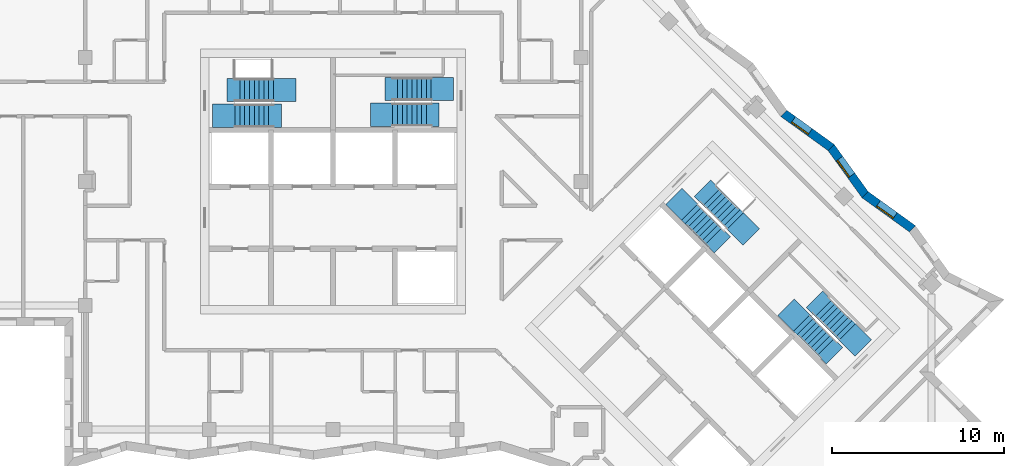
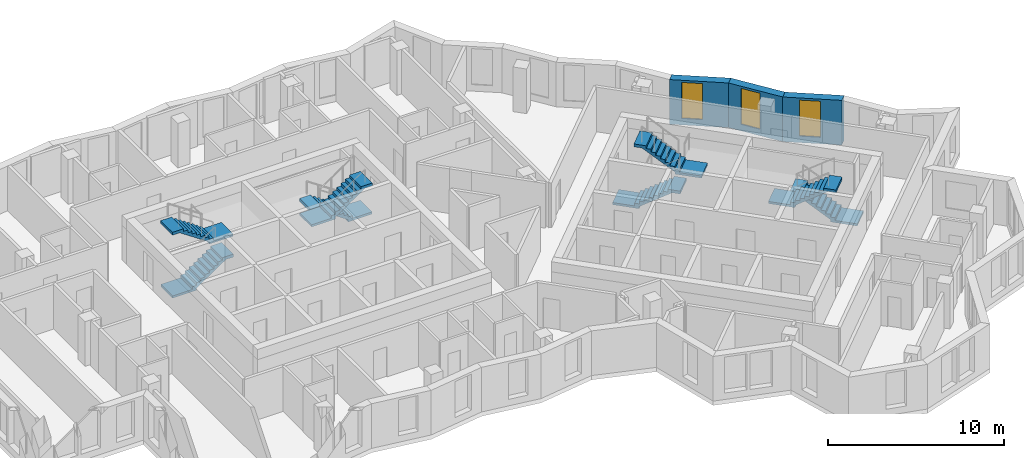
# One storey, part 10 of 13: 8 stair flights, 3 walls, 3 windows, 3 openings, 4 elements without a shape of their own.
"""IFC4 building model written with IfcOpenShell, lengths in metres."""

import ifcopenshell
import ifcopenshell.guid

model = None  # the IFC model being written
_history = None  # IfcOwnerHistory: only IFC2X3 demands one
_inside = {}  # id of a spatial element -> (the spatial element, [elements in it])
_under = {}  # id of a project, library or spatial element -> (it, [spatial elements below it])
_declared = {}  # id of a project -> (the project, [libraries it declares])
_typed = {}  # id of a type object -> (the type object, [elements of that type])
_made_of = {}  # id of a material, layer set ... -> (it, [elements and type objects made of it])


def new_model(schema):
    """Start an empty IFC model of exactly this schema.

    Asked for "IFC4X3", IfcOpenShell would pick the latest addendum, in which some entities
    have other attributes; the version numbers below select the first issue.
    IFC2X3 requires an IfcOwnerHistory on every rooted entity: one is made here for all.
    """
    global model, _history
    if schema == "IFC4X3":
        model = ifcopenshell.file(schema_version=(4, 3, 0, 0))
    else:
        model = ifcopenshell.file(schema=schema)
    _inside.clear()
    _under.clear()
    _declared.clear()
    _typed.clear()
    _made_of.clear()
    _history = None
    if model.schema == "IFC2X3":
        org = make("IfcOrganization", Name="unknown")
        user = make(
            "IfcPersonAndOrganization",
            ThePerson=make("IfcPerson", FamilyName="unknown"),
            TheOrganization=org,
        )
        app = make(
            "IfcApplication",
            ApplicationDeveloper=org,
            Version="unknown",
            ApplicationFullName="unknown",
            ApplicationIdentifier="unknown",
        )
        _history = make(
            "IfcOwnerHistory",
            OwningUser=user,
            OwningApplication=app,
            ChangeAction="ADDED",
            CreationDate=0,
        )
    return model


def make(cls, **values):
    """One entity of the class cls with the attributes given. An attribute that is None is left unset."""
    return model.create_entity(
        cls, **{name: value for name, value in values.items() if value is not None}
    )


def rooted(cls, **values):
    """An entity with a GlobalId (a new one), such as an element, a storey or a relation."""
    return make(cls, GlobalId=ifcopenshell.guid.new(), OwnerHistory=_history, **values)


def si_unit(unit_type, name, prefix=None):
    """IfcSIUnit, for example si_unit("LENGTHUNIT", "METRE", prefix="MILLI")."""
    return make("IfcSIUnit", UnitType=unit_type, Prefix=prefix, Name=name)


def assignment(units):
    """IfcUnitAssignment: the units of a project."""
    return None if units is None else make("IfcUnitAssignment", Units=units)


def point(xyz):
    """IfcCartesianPoint."""
    return None if xyz is None else make("IfcCartesianPoint", Coordinates=xyz)


def direction(xyz):
    """IfcDirection."""
    return None if xyz is None else make("IfcDirection", DirectionRatios=xyz)


def frame(location, z_axis=None, x_axis=None):
    """IfcAxis2Placement3D, a coordinate frame: its origin and axes. An axis left out is left unset."""
    return make(
        "IfcAxis2Placement3D",
        Location=point(location),
        Axis=direction(z_axis),
        RefDirection=direction(x_axis),
    )


def frame_2d(location, x_axis=None):
    """IfcAxis2Placement2D, a coordinate frame in the plane: its origin and x axis."""
    return make(
        "IfcAxis2Placement2D", Location=point(location), RefDirection=direction(x_axis)
    )


def origin():
    """The frame at (0, 0, 0) with its axes left unset."""
    return frame((0.0, 0.0, 0.0))


def place(relative_to, where):
    """IfcLocalPlacement: puts the frame where relative to a parent placement (None: the world)."""
    return make(
        "IfcLocalPlacement", PlacementRelTo=relative_to, RelativePlacement=where
    )


def context(
    kind, dimensions, precision=None, world=None, true_north=None, identifier=None
):
    """IfcGeometricRepresentationContext, for example the 3D "Model" context."""
    return make(
        "IfcGeometricRepresentationContext",
        ContextIdentifier=identifier,
        ContextType=kind,
        CoordinateSpaceDimension=dimensions,
        Precision=precision,
        WorldCoordinateSystem=world,
        TrueNorth=true_north,
    )


def subcontext(parent, identifier, kind, view, scale=None):
    """IfcGeometricRepresentationSubContext, for example "Body" below "Model"."""
    return make(
        "IfcGeometricRepresentationSubContext",
        ContextIdentifier=identifier,
        ContextType=kind,
        ParentContext=parent,
        TargetScale=scale,
        TargetView=view,
    )


def project(units=None, contexts=None):
    """IfcProject with its units and contexts."""
    return rooted(
        "IfcProject",
        Name="project",
        RepresentationContexts=contexts,
        UnitsInContext=assignment(units),
    )


def spatial(cls, under=None, at=None, **own):
    """A site, building, storey or space (cls), placed at a placement, below another one or the project."""
    s = rooted(cls, ObjectPlacement=at, **own)
    if under is not None:
        _under.setdefault(under.id(), (under, []))[1].append(s)
    return s


def polyline(points):
    """IfcPolyline through the points."""
    return make("IfcPolyline", Points=[point(p) for p in points])


def profile(cls, at=None, kind="AREA", **sizes):
    """A parametric profile (cls). Its sizes go by their IFC names, for example OverallWidth=200.0."""
    return make(cls, ProfileType=kind, Position=at, **sizes)


def rectangle(**sizes):
    """IfcRectangleProfileDef."""
    return profile("IfcRectangleProfileDef", **sizes)


def outline(outer, holes=None, kind="AREA"):
    """IfcArbitraryClosedProfileDef: a profile drawn as a closed curve; with holes, ...WithVoids."""
    if holes is None:
        return make("IfcArbitraryClosedProfileDef", ProfileType=kind, OuterCurve=outer)
    return make(
        "IfcArbitraryProfileDefWithVoids",
        ProfileType=kind,
        OuterCurve=outer,
        InnerCurves=holes,
    )


def extrude(swept, where, along, depth):
    """IfcExtrudedAreaSolid: the profile swept, set in the frame where, extruded along a direction by depth."""
    return make(
        "IfcExtrudedAreaSolid",
        SweptArea=swept,
        Position=where,
        ExtrudedDirection=direction(along),
        Depth=depth,
    )


def shape(context_of_items, identifier, shape_type, items):
    """IfcShapeRepresentation: the items that make up one representation, for example the "Body"."""
    return make(
        "IfcShapeRepresentation",
        ContextOfItems=context_of_items,
        RepresentationIdentifier=identifier,
        RepresentationType=shape_type,
        Items=items,
    )


def material(Name=None, Category=None):
    """IfcMaterial."""
    return make("IfcMaterial", Name=Name, Category=Category)


def layer(
    of_material, thickness, ventilated=None, Name=None, Category=None, Priority=None
):
    """IfcMaterialLayer: one layer of a wall or slab, of a material (None: an air gap)."""
    return make(
        "IfcMaterialLayer",
        Material=of_material,
        LayerThickness=thickness,
        IsVentilated=ventilated,
        Name=Name,
        Category=Category,
        Priority=Priority,
    )


def layer_set(layers, Name=None):
    """IfcMaterialLayerSet."""
    return make("IfcMaterialLayerSet", MaterialLayers=layers, LayerSetName=Name)


def made_of(thing, what):
    """Note that an element or type object is made of a material, layer set ...; save() writes the relation."""
    if what is not None:
        _made_of.setdefault(what.id(), (what, []))[1].append(thing)
    return thing


def type_object(cls, material=None, **own):
    """A type object (cls), such as IfcWallType, which elements share."""
    return made_of(rooted(cls, **own), material)


def element(
    cls,
    number,
    at=None,
    inside=None,
    cuts=None,
    type_object=None,
    material=None,
    context=None,
    identifier="Body",
    shape_type=None,
    held_by="IfcProductDefinitionShape",
    body=None,
    shapes=None,
    **own,
):
    """One element of the class cls, such as IfcWall. Its Tag is "e" and its number.

    at: its placement. inside: the storey or other place that contains it. cuts: it is an
    opening in that element (IfcRelVoidsElement). A single representation is given by context,
    identifier, shape_type and body (its items); several are given by shapes. held_by: the class
    of the entity that holds the representations. save() writes the other relations.
    """
    e = rooted(cls, Tag="e%d" % number, ObjectPlacement=at, **own)
    if body is not None:
        shapes = [shape(context, identifier, shape_type, body)]
    if shapes is not None:
        e.Representation = make(held_by, Representations=shapes)
    if inside is not None:
        _inside.setdefault(inside.id(), (inside, []))[1].append(e)
    if cuts is not None:
        rooted(
            "IfcRelVoidsElement", RelatingBuildingElement=cuts, RelatedOpeningElement=e
        )
    if type_object is not None:
        _typed.setdefault(type_object.id(), (type_object, []))[1].append(e)
    return made_of(e, material)


def fill(opening, filler):
    """IfcRelFillsElement: the door or window that sits in an opening."""
    return rooted(
        "IfcRelFillsElement",
        RelatingOpeningElement=opening,
        RelatedBuildingElement=filler,
    )


def aggregate(whole, parts):
    """IfcRelAggregates: a whole, such as a stair, and the parts it consists of."""
    return rooted("IfcRelAggregates", RelatingObject=whole, RelatedObjects=parts)


def save(model, path):
    """Write the relations noted so far, then the file.

    IfcRelAggregates (storeys below a building ...), IfcRelContainedInSpatialStructure (elements
    in a storey), IfcRelDefinesByType, IfcRelAssociatesMaterial and IfcRelDeclares: one each for
    every whole, place, type object, material and project.
    """
    for whole, parts in _under.values():
        aggregate(whole, parts)
    for where, things in _inside.values():
        rooted(
            "IfcRelContainedInSpatialStructure",
            RelatedElements=things,
            RelatingStructure=where,
        )
    for kind, things in _typed.values():
        rooted("IfcRelDefinesByType", RelatedObjects=things, RelatingType=kind)
    for what, things in _made_of.values():
        rooted("IfcRelAssociatesMaterial", RelatedObjects=things, RelatingMaterial=what)
    for by, libraries in _declared.values():
        rooted("IfcRelDeclares", RelatingContext=by, RelatedDefinitions=libraries)
    model.write(path)


model = new_model("IFC4")

# Units and contexts
model_context = context("Model", 3, precision=1e-05, world=origin(), true_north=direction((0.0, 1.0)))
body_context = subcontext(model_context, "Body", "Model", "MODEL_VIEW")
ifc_project = project(units=[si_unit("LENGTHUNIT", "METRE"), si_unit("AREAUNIT", "SQUARE_METRE"), si_unit("VOLUMEUNIT", "CUBIC_METRE"), si_unit("PLANEANGLEUNIT", "RADIAN"), si_unit("MASSUNIT", "GRAM", prefix="KILO")], contexts=[model_context])

# Site, building, storey
site_placement = place(None, origin())
site = spatial("IfcSite", under=ifc_project, at=site_placement, CompositionType="ELEMENT")
building_placement = place(site_placement, origin())
building = spatial("IfcBuilding", under=site, at=building_placement, Name="Windrow Commons", CompositionType="ELEMENT")
storey_placement = place(building_placement, frame((0.0, 0.0, 216.8)))
storey = spatial("IfcBuildingStorey", under=building, at=storey_placement, Name="L59", CompositionType="ELEMENT", Elevation=216.8)

# Wall, opening, window
ifc_material_1 = material(Name="Brick masonry, red clay brick", Category="masonry")
ifc_layer = layer(ifc_material_1, 0.5)
ifc_layer_set = layer_set([ifc_layer], Name="Brick facade wall 500")
wall_type = type_object("IfcWallType", Name="Brick facade wall 500", PredefinedType="SOLIDWALL", material=ifc_layer_set)
wall_1_placement = place(storey_placement, frame((98.4437, 54.8617, 0.0), z_axis=(0.0, 0.0, 1.0), x_axis=(-0.8113121077, 0.5846132601, 0.0)))
wall_1 = element("IfcWall", 1, at=wall_1_placement, inside=storey, type_object=wall_type, Name="Brick facade wall L59 9", PredefinedType="SOLIDWALL", context=body_context, shape_type="SweptSolid", body=[
    extrude(outline(polyline([(-0.0406, -0.25), (3.3401, -0.25), (3.4213, 0.25), (0.0406, 0.25), (-0.0406, -0.25)])), origin(), (0.0, 0.0, 1.0), 3.1),
])
opening_1_placement = place(wall_1_placement, frame((1.2568, 0.0, 0.45)))
opening_1 = element("IfcOpeningElement", 2, at=opening_1_placement, cuts=wall_1, Name="Opening W7E", PredefinedType="OPENING", context=body_context, shape_type="SweptSolid", body=[
    extrude(rectangle(XDim=1.2, YDim=2.5, at=frame_2d((0.6, 1.25))), frame((0.0, 0.26, 0.0), z_axis=(0.0, -1.0, 0.0), x_axis=(1.0, 0.0, 0.0)), (0.0, 0.0, 1.0), 0.52),
])
ifc_material_2 = material(Name="Clear float glass in anodised aluminium frame", Category="aluminium")
window_type = type_object("IfcWindowType", Name="Window W7 notch 1200x2500", PartitioningType="SINGLE_PANEL", PredefinedType="WINDOW", material=ifc_material_2)
window_1_placement = place(opening_1_placement, origin())
window_1 = element("IfcWindow", 3, at=window_1_placement, inside=storey, type_object=window_type, Name="Window L59 9.1", OverallHeight=2.5, OverallWidth=1.2, PartitioningType="SINGLE_PANEL", PredefinedType="WINDOW", context=body_context, shape_type="SweptSolid", body=[
    extrude(rectangle(XDim=1.2, YDim=2.5, at=frame_2d((0.6, 1.25))), frame((0.0, 0.18, 0.0), z_axis=(0.0, -1.0, 0.0), x_axis=(1.0, 0.0, 0.0)), (0.0, 0.0, 1.0), 0.06),
])
fill(opening_1, window_1)

wall_2_placement = place(storey_placement, frame((95.7009, 56.8381, 0.0), z_axis=(0.0, 0.0, 1.0), x_axis=(-0.5846132601, 0.8113121077, 0.0)))
wall_2 = element("IfcWall", 4, at=wall_2_placement, inside=storey, type_object=wall_type, Name="Brick facade wall L59 10", PredefinedType="SOLIDWALL", context=body_context, shape_type="SweptSolid", body=[
    extrude(outline(polyline([(0.0406, -0.25), (3.4213, -0.25), (3.3401, 0.25), (-0.0406, 0.25), (0.0406, -0.25)])), origin(), (0.0, 0.0, 1.0), 3.1),
])
opening_2_placement = place(wall_2_placement, frame((1.3697, 0.0, 0.45)))
opening_2 = element("IfcOpeningElement", 5, at=opening_2_placement, cuts=wall_2, Name="Opening W7E", PredefinedType="OPENING", context=body_context, shape_type="SweptSolid", body=[
    extrude(rectangle(XDim=1.2, YDim=2.5, at=frame_2d((0.6, 1.25))), frame((0.0, 0.26, 0.0), z_axis=(0.0, -1.0, 0.0), x_axis=(1.0, 0.0, 0.0)), (0.0, 0.0, 1.0), 0.52),
])
window_2_placement = place(opening_2_placement, origin())
window_2 = element("IfcWindow", 6, at=window_2_placement, inside=storey, type_object=window_type, Name="Window L59 10.1", OverallHeight=2.5, OverallWidth=1.2, PartitioningType="SINGLE_PANEL", PredefinedType="WINDOW", context=body_context, shape_type="SweptSolid", body=[
    extrude(rectangle(XDim=1.2, YDim=2.5, at=frame_2d((0.6, 1.25))), frame((0.0, 0.18, 0.0), z_axis=(0.0, -1.0, 0.0), x_axis=(1.0, 0.0, 0.0)), (0.0, 0.0, 1.0), 0.06),
])
fill(opening_2, window_2)

wall_3_placement = place(storey_placement, frame((93.7245, 59.5809, 0.0), z_axis=(0.0, 0.0, 1.0), x_axis=(-0.8113222169, 0.5845992306, 0.0)))
wall_3 = element("IfcWall", 7, at=wall_3_placement, inside=storey, type_object=wall_type, Name="Brick facade wall L59 11", PredefinedType="SOLIDWALL", context=body_context, shape_type="SweptSolid", body=[
    extrude(outline(polyline([(-0.0406, -0.25), (3.3401, -0.25), (3.4213, 0.25), (0.0406, 0.25), (-0.0406, -0.25)])), origin(), (0.0, 0.0, 1.0), 3.1),
])
opening_3_placement = place(wall_3_placement, frame((1.5232, 0.0, 0.45)))
opening_3 = element("IfcOpeningElement", 8, at=opening_3_placement, cuts=wall_3, Name="Opening W7E", PredefinedType="OPENING", context=body_context, shape_type="SweptSolid", body=[
    extrude(rectangle(XDim=1.2, YDim=2.5, at=frame_2d((0.6, 1.25))), frame((0.0, 0.26, 0.0), z_axis=(0.0, -1.0, 0.0), x_axis=(1.0, 0.0, 0.0)), (0.0, 0.0, 1.0), 0.52),
])
window_3_placement = place(opening_3_placement, origin())
window_3 = element("IfcWindow", 9, at=window_3_placement, inside=storey, type_object=window_type, Name="Window L59 11.1", OverallHeight=2.5, OverallWidth=1.2, PartitioningType="SINGLE_PANEL", PredefinedType="WINDOW", context=body_context, shape_type="SweptSolid", body=[
    extrude(rectangle(XDim=1.2, YDim=2.5, at=frame_2d((0.6, 1.25))), frame((0.0, 0.18, 0.0), z_axis=(0.0, -1.0, 0.0), x_axis=(1.0, 0.0, 0.0)), (0.0, 0.0, 1.0), 0.06),
])
fill(opening_3, window_3)

# Stair, stair flights
ifc_material_3 = material(Name="Concrete C40/50", Category="concrete")
stair_type = type_object("IfcStairType", Name="Core stair", PredefinedType="HALF_TURN_STAIR", material=ifc_material_3)
placement = place(storey_placement, origin())
stair_1 = element("IfcStair", 10, at=placement, inside=storey, type_object=stair_type, Name="L59 Exit stair A1 core A", PredefinedType="HALF_TURN_STAIR")
ifc_material_4 = material(Name="Concrete C40/50", Category="concrete")
stair_flight_type = type_object("IfcStairFlightType", Name="Core stair flight", PredefinedType="STRAIGHT", material=ifc_material_4)
stair_flight_1_placement = place(storey_placement, frame((59.1, 61.425, 0.0), z_axis=(0.0, 0.0, 1.0), x_axis=(1.0, 0.0, 0.0)))
stair_flight_1 = element("IfcStairFlight", 11, at=stair_flight_1_placement, type_object=stair_flight_type, Name="ST-A1 flight 1", NumberOfRisers=9, NumberOfTreads=8, PredefinedType="STRAIGHT", RiserHeight=0.188888889, TreadLength=0.28, context=body_context, shape_type="SweptSolid", body=[
    extrude(outline(polyline([(-1.3, -0.15), (-1.3, 0.0), (0.0, 0.0), (0.0, 0.1889), (0.28, 0.1889), (0.28, 0.3778), (0.56, 0.3778), (0.56, 0.5667), (0.84, 0.5667), (0.84, 0.7556), (1.12, 0.7556), (1.12, 0.9444), (1.4, 0.9444), (1.4, 1.1333), (1.68, 1.1333), (1.68, 1.3222), (1.96, 1.3222), (1.96, 1.5111), (2.24, 1.5111), (2.69, 1.5111), (2.69, 1.3111), (2.24, 1.3111), (2.24, 1.3302), (0.2682, 0.0), (0.2682, -0.15), (-1.3, -0.15)])), frame((0.0, 0.675, 0.0), z_axis=(0.0, -1.0, 0.0), x_axis=(1.0, 0.0, 0.0)), (0.0, 0.0, 1.0), 1.35),
])
stair_flight_2_placement = place(storey_placement, frame((61.34, 62.925, 1.7), z_axis=(0.0, 0.0, 1.0), x_axis=(-1.0, 0.0, 0.0)))
stair_flight_2 = element("IfcStairFlight", 12, at=stair_flight_2_placement, type_object=stair_flight_type, Name="ST-A1 flight 2", NumberOfRisers=9, NumberOfTreads=8, PredefinedType="STRAIGHT", RiserHeight=0.188888889, TreadLength=0.28, context=body_context, shape_type="SweptSolid", body=[
    extrude(outline(polyline([(-1.3, -0.15), (-1.3, 0.0), (0.0, 0.0), (0.0, 0.1889), (0.28, 0.1889), (0.28, 0.3778), (0.56, 0.3778), (0.56, 0.5667), (0.84, 0.5667), (0.84, 0.7556), (1.12, 0.7556), (1.12, 0.9444), (1.4, 0.9444), (1.4, 1.1333), (1.68, 1.1333), (1.68, 1.3222), (1.96, 1.3222), (1.96, 1.5111), (2.24, 1.5111), (2.69, 1.5111), (2.69, 1.3111), (2.24, 1.3111), (2.24, 1.3302), (0.2682, 0.0), (0.2682, -0.15), (-1.3, -0.15)])), frame((0.0, 0.675, 0.0), z_axis=(0.0, -1.0, 0.0), x_axis=(1.0, 0.0, 0.0)), (0.0, 0.0, 1.0), 1.35),
])
aggregate(stair_1, [stair_flight_1, stair_flight_2])

stair_2 = element("IfcStair", 13, at=placement, inside=storey, type_object=stair_type, Name="L59 Exit stair A2 core A", PredefinedType="HALF_TURN_STAIR")
stair_flight_3_placement = place(storey_placement, frame((70.5, 62.98, 0.0), z_axis=(0.0, 0.0, 1.0), x_axis=(-1.0, 0.0, 0.0)))
stair_flight_3 = element("IfcStairFlight", 14, at=stair_flight_3_placement, type_object=stair_flight_type, Name="ST-A2 flight 1", NumberOfRisers=9, NumberOfTreads=8, PredefinedType="STRAIGHT", RiserHeight=0.188888889, TreadLength=0.28, context=body_context, shape_type="SweptSolid", body=[
    extrude(outline(polyline([(-1.3, -0.15), (-1.3, 0.0), (0.0, 0.0), (0.0, 0.1889), (0.28, 0.1889), (0.28, 0.3778), (0.56, 0.3778), (0.56, 0.5667), (0.84, 0.5667), (0.84, 0.7556), (1.12, 0.7556), (1.12, 0.9444), (1.4, 0.9444), (1.4, 1.1333), (1.68, 1.1333), (1.68, 1.3222), (1.96, 1.3222), (1.96, 1.5111), (2.24, 1.5111), (2.69, 1.5111), (2.69, 1.3111), (2.24, 1.3111), (2.24, 1.3302), (0.2682, 0.0), (0.2682, -0.15), (-1.3, -0.15)])), frame((0.0, 0.675, 0.0), z_axis=(0.0, -1.0, 0.0), x_axis=(1.0, 0.0, 0.0)), (0.0, 0.0, 1.0), 1.35),
])
stair_flight_4_placement = place(storey_placement, frame((68.26, 61.48, 1.7), z_axis=(0.0, 0.0, 1.0), x_axis=(1.0, 0.0, 0.0)))
stair_flight_4 = element("IfcStairFlight", 15, at=stair_flight_4_placement, type_object=stair_flight_type, Name="ST-A2 flight 2", NumberOfRisers=9, NumberOfTreads=8, PredefinedType="STRAIGHT", RiserHeight=0.188888889, TreadLength=0.28, context=body_context, shape_type="SweptSolid", body=[
    extrude(outline(polyline([(-1.3, -0.15), (-1.3, 0.0), (0.0, 0.0), (0.0, 0.1889), (0.28, 0.1889), (0.28, 0.3778), (0.56, 0.3778), (0.56, 0.5667), (0.84, 0.5667), (0.84, 0.7556), (1.12, 0.7556), (1.12, 0.9444), (1.4, 0.9444), (1.4, 1.1333), (1.68, 1.1333), (1.68, 1.3222), (1.96, 1.3222), (1.96, 1.5111), (2.24, 1.5111), (2.69, 1.5111), (2.69, 1.3111), (2.24, 1.3111), (2.24, 1.3302), (0.2682, 0.0), (0.2682, -0.15), (-1.3, -0.15)])), frame((0.0, 0.675, 0.0), z_axis=(0.0, -1.0, 0.0), x_axis=(1.0, 0.0, 0.0)), (0.0, 0.0, 1.0), 1.35),
])
aggregate(stair_2, [stair_flight_3, stair_flight_4])

stair_3 = element("IfcStair", 16, at=placement, inside=storey, type_object=stair_type, Name="L59 Exit stair B1 core B", PredefinedType="HALF_TURN_STAIR")
stair_flight_5_placement = place(storey_placement, frame((85.5109, 55.8249, 0.0), z_axis=(0.0, 0.0, 1.0), x_axis=(0.7071067812, -0.7071067812, 0.0)))
stair_flight_5 = element("IfcStairFlight", 17, at=stair_flight_5_placement, type_object=stair_flight_type, Name="ST-B1 flight 1", NumberOfRisers=9, NumberOfTreads=8, PredefinedType="STRAIGHT", RiserHeight=0.188888889, TreadLength=0.28, context=body_context, shape_type="SweptSolid", body=[
    extrude(outline(polyline([(-1.3, -0.15), (-1.3, 0.0), (0.0, 0.0), (0.0, 0.1889), (0.28, 0.1889), (0.28, 0.3778), (0.56, 0.3778), (0.56, 0.5667), (0.84, 0.5667), (0.84, 0.7556), (1.12, 0.7556), (1.12, 0.9444), (1.4, 0.9444), (1.4, 1.1333), (1.68, 1.1333), (1.68, 1.3222), (1.96, 1.3222), (1.96, 1.5111), (2.24, 1.5111), (2.69, 1.5111), (2.69, 1.3111), (2.24, 1.3111), (2.24, 1.3302), (0.2682, 0.0), (0.2682, -0.15), (-1.3, -0.15)])), frame((0.0, 0.675, 0.0), z_axis=(0.0, -1.0, 0.0), x_axis=(1.0, 0.0, 0.0)), (0.0, 0.0, 1.0), 1.35),
])
stair_flight_6_placement = place(storey_placement, frame((88.1555, 55.3017, 1.7), z_axis=(0.0, 0.0, 1.0), x_axis=(-0.7071067812, 0.7071067812, 0.0)))
stair_flight_6 = element("IfcStairFlight", 18, at=stair_flight_6_placement, type_object=stair_flight_type, Name="ST-B1 flight 2", NumberOfRisers=9, NumberOfTreads=8, PredefinedType="STRAIGHT", RiserHeight=0.188888889, TreadLength=0.28, context=body_context, shape_type="SweptSolid", body=[
    extrude(outline(polyline([(-1.3, -0.15), (-1.3, 0.0), (0.0, 0.0), (0.0, 0.1889), (0.28, 0.1889), (0.28, 0.3778), (0.56, 0.3778), (0.56, 0.5667), (0.84, 0.5667), (0.84, 0.7556), (1.12, 0.7556), (1.12, 0.9444), (1.4, 0.9444), (1.4, 1.1333), (1.68, 1.1333), (1.68, 1.3222), (1.96, 1.3222), (1.96, 1.5111), (2.24, 1.5111), (2.69, 1.5111), (2.69, 1.3111), (2.24, 1.3111), (2.24, 1.3302), (0.2682, 0.0), (0.2682, -0.15), (-1.3, -0.15)])), frame((0.0, 0.675, 0.0), z_axis=(0.0, -1.0, 0.0), x_axis=(1.0, 0.0, 0.0)), (0.0, 0.0, 1.0), 1.35),
])
aggregate(stair_3, [stair_flight_5, stair_flight_6])

stair_4 = element("IfcStair", 19, at=placement, inside=storey, type_object=stair_type, Name="L59 Exit stair B2 core B", PredefinedType="HALF_TURN_STAIR")
stair_flight_7_placement = place(storey_placement, frame((94.6715, 48.8635, 0.0), z_axis=(0.0, 0.0, 1.0), x_axis=(-0.7071067812, 0.7071067812, 0.0)))
stair_flight_7 = element("IfcStairFlight", 20, at=stair_flight_7_placement, type_object=stair_flight_type, Name="ST-B2 flight 1", NumberOfRisers=9, NumberOfTreads=8, PredefinedType="STRAIGHT", RiserHeight=0.188888889, TreadLength=0.28, context=body_context, shape_type="SweptSolid", body=[
    extrude(outline(polyline([(-1.3, -0.15), (-1.3, 0.0), (0.0, 0.0), (0.0, 0.1889), (0.28, 0.1889), (0.28, 0.3778), (0.56, 0.3778), (0.56, 0.5667), (0.84, 0.5667), (0.84, 0.7556), (1.12, 0.7556), (1.12, 0.9444), (1.4, 0.9444), (1.4, 1.1333), (1.68, 1.1333), (1.68, 1.3222), (1.96, 1.3222), (1.96, 1.5111), (2.24, 1.5111), (2.69, 1.5111), (2.69, 1.3111), (2.24, 1.3111), (2.24, 1.3302), (0.2682, 0.0), (0.2682, -0.15), (-1.3, -0.15)])), frame((0.0, 0.675, 0.0), z_axis=(0.0, -1.0, 0.0), x_axis=(1.0, 0.0, 0.0)), (0.0, 0.0, 1.0), 1.35),
])
stair_flight_8_placement = place(storey_placement, frame((92.0269, 49.3867, 1.7), z_axis=(0.0, 0.0, 1.0), x_axis=(0.7071067812, -0.7071067812, 0.0)))
stair_flight_8 = element("IfcStairFlight", 21, at=stair_flight_8_placement, type_object=stair_flight_type, Name="ST-B2 flight 2", NumberOfRisers=9, NumberOfTreads=8, PredefinedType="STRAIGHT", RiserHeight=0.188888889, TreadLength=0.28, context=body_context, shape_type="SweptSolid", body=[
    extrude(outline(polyline([(-1.3, -0.15), (-1.3, 0.0), (0.0, 0.0), (0.0, 0.1889), (0.28, 0.1889), (0.28, 0.3778), (0.56, 0.3778), (0.56, 0.5667), (0.84, 0.5667), (0.84, 0.7556), (1.12, 0.7556), (1.12, 0.9444), (1.4, 0.9444), (1.4, 1.1333), (1.68, 1.1333), (1.68, 1.3222), (1.96, 1.3222), (1.96, 1.5111), (2.24, 1.5111), (2.69, 1.5111), (2.69, 1.3111), (2.24, 1.3111), (2.24, 1.3302), (0.2682, 0.0), (0.2682, -0.15), (-1.3, -0.15)])), frame((0.0, 0.675, 0.0), z_axis=(0.0, -1.0, 0.0), x_axis=(1.0, 0.0, 0.0)), (0.0, 0.0, 1.0), 1.35),
])
aggregate(stair_4, [stair_flight_7, stair_flight_8])

save(model, "model.ifc")
